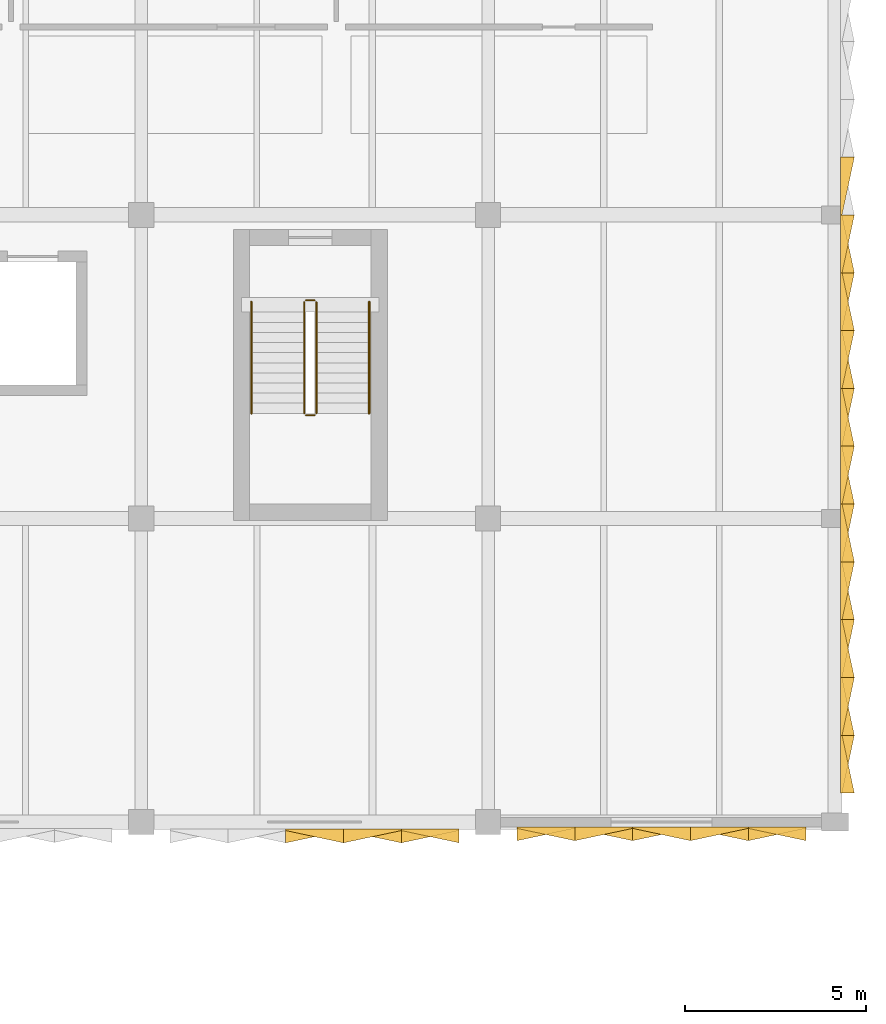
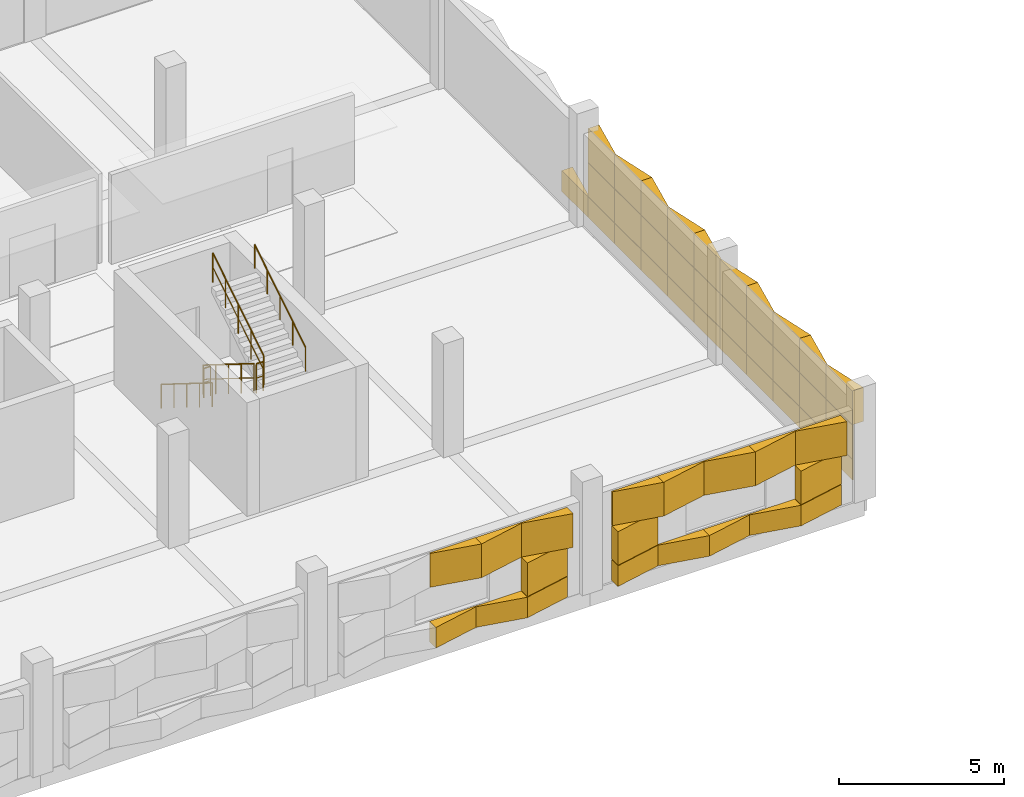
# One storey, part 56 of 57: 50 coverings, 6 railings.
"""IFC4 building model written with IfcOpenShell, lengths in metres."""

from ifc_helpers import new_model, si_unit, direction, frame, origin, origin_2d, place, context, subcontext, project, spatial, polyline, circle, outline, extrude, material, type_object, element, save


model = new_model("IFC4")

# Units and contexts
model_context = context("Model", 3, precision=1e-05, world=origin(), true_north=direction((0.0, 1.0)))
body_context = subcontext(model_context, "Body", "Model", "MODEL_VIEW")
ifc_project = project(units=[si_unit("LENGTHUNIT", "METRE"), si_unit("AREAUNIT", "SQUARE_METRE"), si_unit("VOLUMEUNIT", "CUBIC_METRE"), si_unit("PLANEANGLEUNIT", "RADIAN"), si_unit("MASSUNIT", "GRAM", prefix="KILO")], contexts=[model_context])

# Site, building, storey
site_placement = place(None, origin())
site = spatial("IfcSite", under=ifc_project, at=site_placement, CompositionType="ELEMENT")
building_placement = place(site_placement, origin())
building = spatial("IfcBuilding", under=site, at=building_placement, Name="Oolite Switchyard Hospital", CompositionType="ELEMENT")
storey_placement = place(building_placement, frame((0.0, 0.0, 17.800048828125)))
storey = spatial("IfcBuildingStorey", under=building, at=storey_placement, Name="L04", CompositionType="ELEMENT", Elevation=17.800048828125)

# Coverings
ifc_material_1 = material(Name="Precast oolitic limestone architectural concrete C40/50", Category="masonry")
covering_type = type_object("IfcCoveringType", Name="COV-CHEV-COOL", PredefinedType="CLADDING", material=ifc_material_1)
covering_1_placement = place(storey_placement, frame((200.800048828125, 100.610107421875, 0.050048828125), z_axis=(0.0, 0.0, 1.0), x_axis=(-1.0, 0.0, 0.0)))
element("IfcCovering", 1, at=covering_1_placement, inside=storey, type_object=covering_type, Name="L04 Chevron Precast Oolite Panel 724", PredefinedType="CLADDING", context=body_context, shape_type="SweptSolid", body=[
    extrude(outline(polyline([(0.0, 0.0), (1.60009765625, 0.0), (1.60009765625, 0.385009765625), (0.0, 0.044921875), (0.0, 0.0)])), origin(), (0.0, 0.0, 1.0), 0.760009765625),
])
covering_2_placement = place(storey_placement, frame((200.800048828125, 100.610107421875, 2.08984375), z_axis=(0.0, 0.0, 1.0), x_axis=(-1.0, 0.0, 0.0)))
element("IfcCovering", 2, at=covering_2_placement, inside=storey, type_object=covering_type, Name="L04 Chevron Precast Oolite Panel 725", PredefinedType="CLADDING", context=body_context, shape_type="SweptSolid", body=[
    extrude(outline(polyline([(0.0, 0.0), (1.60009765625, 0.0), (1.60009765625, 0.044921875), (0.0, 0.385009765625), (0.0, 0.0)])), origin(), (0.0, 0.0, 1.0), 1.25),
])
covering_3_placement = place(storey_placement, frame((200.800048828125, 100.610107421875, 0.829833984375), z_axis=(0.0, 0.0, 1.0), x_axis=(-1.0, 0.0, 0.0)))
element("IfcCovering", 3, at=covering_3_placement, inside=storey, type_object=covering_type, Name="L04 Chevron Precast Oolite Panel 726", PredefinedType="CLADDING", context=body_context, shape_type="SweptSolid", body=[
    extrude(outline(polyline([(0.0, 0.0), (1.60009765625, 0.0), (1.60009765625, 0.385009765625), (0.0, 0.044921875), (0.0, 0.0)])), origin(), (0.0, 0.0, 1.0), 1.240234375),
])
covering_4_placement = place(storey_placement, frame((199.199951171875, 100.610107421875, 0.050048828125), z_axis=(0.0, 0.0, 1.0), x_axis=(-1.0, 0.0, 0.0)))
element("IfcCovering", 4, at=covering_4_placement, inside=storey, type_object=covering_type, Name="L04 Chevron Precast Oolite Panel 727", PredefinedType="CLADDING", context=body_context, shape_type="SweptSolid", body=[
    extrude(outline(polyline([(0.0, 0.0), (1.599853515625, 0.0), (1.599853515625, 0.044921875), (0.0, 0.385009765625), (0.0, 0.0)])), origin(), (0.0, 0.0, 1.0), 0.760009765625),
])
covering_5_placement = place(storey_placement, frame((199.199951171875, 100.610107421875, 2.08984375), z_axis=(0.0, 0.0, 1.0), x_axis=(-1.0, 0.0, 0.0)))
element("IfcCovering", 5, at=covering_5_placement, inside=storey, type_object=covering_type, Name="L04 Chevron Precast Oolite Panel 728", PredefinedType="CLADDING", context=body_context, shape_type="SweptSolid", body=[
    extrude(outline(polyline([(0.0, 0.0), (1.599853515625, 0.0), (1.599853515625, 0.385009765625), (0.0, 0.044921875), (0.0, 0.0)])), origin(), (0.0, 0.0, 1.0), 1.25),
])
covering_6_placement = place(storey_placement, frame((197.60009765625, 100.610107421875, 0.050048828125), z_axis=(0.0, 0.0, 1.0), x_axis=(-1.0, 0.0, 0.0)))
element("IfcCovering", 6, at=covering_6_placement, inside=storey, type_object=covering_type, Name="L04 Chevron Precast Oolite Panel 729", PredefinedType="CLADDING", context=body_context, shape_type="SweptSolid", body=[
    extrude(outline(polyline([(0.0, 0.0), (1.60009765625, 0.0), (1.60009765625, 0.385009765625), (0.0, 0.044921875), (0.0, 0.0)])), origin(), (0.0, 0.0, 1.0), 0.760009765625),
])
covering_7_placement = place(storey_placement, frame((197.60009765625, 100.610107421875, 2.08984375), z_axis=(0.0, 0.0, 1.0), x_axis=(-1.0, 0.0, 0.0)))
element("IfcCovering", 7, at=covering_7_placement, inside=storey, type_object=covering_type, Name="L04 Chevron Precast Oolite Panel 730", PredefinedType="CLADDING", context=body_context, shape_type="SweptSolid", body=[
    extrude(outline(polyline([(0.0, 0.0), (1.60009765625, 0.0), (1.60009765625, 0.044921875), (0.0, 0.385009765625), (0.0, 0.0)])), origin(), (0.0, 0.0, 1.0), 1.25),
])
covering_8_placement = place(storey_placement, frame((210.39990234375, 100.669921875, 0.050048828125), z_axis=(0.0, 0.0, 1.0), x_axis=(-1.0, 0.0, 0.0)))
element("IfcCovering", 8, at=covering_8_placement, inside=storey, type_object=covering_type, Name="L04 Chevron Precast Oolite Panel 736", PredefinedType="CLADDING", context=body_context, shape_type="SweptSolid", body=[
    extrude(outline(polyline([(0.0, 0.0), (1.599853515625, 0.0), (1.599853515625, 0.385009765625), (0.0, 0.044921875), (0.0, 0.0)])), origin(), (0.0, 0.0, 1.0), 0.760009765625),
])
covering_9_placement = place(storey_placement, frame((210.39990234375, 100.669921875, 2.08984375), z_axis=(0.0, 0.0, 1.0), x_axis=(-1.0, 0.0, 0.0)))
element("IfcCovering", 9, at=covering_9_placement, inside=storey, type_object=covering_type, Name="L04 Chevron Precast Oolite Panel 737", PredefinedType="CLADDING", context=body_context, shape_type="SweptSolid", body=[
    extrude(outline(polyline([(0.0, 0.0), (1.599853515625, 0.0), (1.599853515625, 0.044921875), (0.0, 0.385009765625), (0.0, 0.0)])), origin(), (0.0, 0.0, 1.0), 1.25),
])
covering_10_placement = place(storey_placement, frame((210.39990234375, 100.669921875, 0.829833984375), z_axis=(0.0, 0.0, 1.0), x_axis=(-1.0, 0.0, 0.0)))
element("IfcCovering", 10, at=covering_10_placement, inside=storey, type_object=covering_type, Name="L04 Chevron Precast Oolite Panel 738", PredefinedType="CLADDING", context=body_context, shape_type="SweptSolid", body=[
    extrude(outline(polyline([(0.0, 0.0), (1.599853515625, 0.0), (1.599853515625, 0.385009765625), (0.0, 0.044921875), (0.0, 0.0)])), origin(), (0.0, 0.0, 1.0), 1.240234375),
])
covering_11_placement = place(storey_placement, frame((208.800048828125, 100.669921875, 0.050048828125), z_axis=(0.0, 0.0, 1.0), x_axis=(-1.0, 0.0, 0.0)))
element("IfcCovering", 11, at=covering_11_placement, inside=storey, type_object=covering_type, Name="L04 Chevron Precast Oolite Panel 739", PredefinedType="CLADDING", context=body_context, shape_type="SweptSolid", body=[
    extrude(outline(polyline([(0.0, 0.0), (1.60009765625, 0.0), (1.60009765625, 0.044921875), (0.0, 0.385009765625), (0.0, 0.0)])), origin(), (0.0, 0.0, 1.0), 0.760009765625),
])
covering_12_placement = place(storey_placement, frame((208.800048828125, 100.669921875, 2.08984375), z_axis=(0.0, 0.0, 1.0), x_axis=(-1.0, 0.0, 0.0)))
element("IfcCovering", 12, at=covering_12_placement, inside=storey, type_object=covering_type, Name="L04 Chevron Precast Oolite Panel 740", PredefinedType="CLADDING", context=body_context, shape_type="SweptSolid", body=[
    extrude(outline(polyline([(0.0, 0.0), (1.60009765625, 0.0), (1.60009765625, 0.385009765625), (0.0, 0.044921875), (0.0, 0.0)])), origin(), (0.0, 0.0, 1.0), 1.25),
])
covering_13_placement = place(storey_placement, frame((207.199951171875, 100.669921875, 0.050048828125), z_axis=(0.0, 0.0, 1.0), x_axis=(-1.0, 0.0, 0.0)))
element("IfcCovering", 13, at=covering_13_placement, inside=storey, type_object=covering_type, Name="L04 Chevron Precast Oolite Panel 741", PredefinedType="CLADDING", context=body_context, shape_type="SweptSolid", body=[
    extrude(outline(polyline([(0.0, 0.0), (1.599853515625, 0.0), (1.599853515625, 0.385009765625), (0.0, 0.044921875), (0.0, 0.0)])), origin(), (0.0, 0.0, 1.0), 0.760009765625),
])
covering_14_placement = place(storey_placement, frame((207.199951171875, 100.669921875, 2.08984375), z_axis=(0.0, 0.0, 1.0), x_axis=(-1.0, 0.0, 0.0)))
element("IfcCovering", 14, at=covering_14_placement, inside=storey, type_object=covering_type, Name="L04 Chevron Precast Oolite Panel 742", PredefinedType="CLADDING", context=body_context, shape_type="SweptSolid", body=[
    extrude(outline(polyline([(0.0, 0.0), (1.599853515625, 0.0), (1.599853515625, 0.044921875), (0.0, 0.385009765625), (0.0, 0.0)])), origin(), (0.0, 0.0, 1.0), 1.25),
])
covering_15_placement = place(storey_placement, frame((205.60009765625, 100.669921875, 0.050048828125), z_axis=(0.0, 0.0, 1.0), x_axis=(-1.0, 0.0, 0.0)))
element("IfcCovering", 15, at=covering_15_placement, inside=storey, type_object=covering_type, Name="L04 Chevron Precast Oolite Panel 743", PredefinedType="CLADDING", context=body_context, shape_type="SweptSolid", body=[
    extrude(outline(polyline([(0.0, 0.0), (1.60009765625, 0.0), (1.60009765625, 0.044921875), (0.0, 0.385009765625), (0.0, 0.0)])), origin(), (0.0, 0.0, 1.0), 0.760009765625),
])
covering_16_placement = place(storey_placement, frame((205.60009765625, 100.669921875, 2.08984375), z_axis=(0.0, 0.0, 1.0), x_axis=(-1.0, 0.0, 0.0)))
element("IfcCovering", 16, at=covering_16_placement, inside=storey, type_object=covering_type, Name="L04 Chevron Precast Oolite Panel 744", PredefinedType="CLADDING", context=body_context, shape_type="SweptSolid", body=[
    extrude(outline(polyline([(0.0, 0.0), (1.60009765625, 0.0), (1.60009765625, 0.385009765625), (0.0, 0.044921875), (0.0, 0.0)])), origin(), (0.0, 0.0, 1.0), 1.25),
])
covering_17_placement = place(storey_placement, frame((204.0, 100.669921875, 0.050048828125), z_axis=(0.0, 0.0, 1.0), x_axis=(-1.0, 0.0, 0.0)))
element("IfcCovering", 17, at=covering_17_placement, inside=storey, type_object=covering_type, Name="L04 Chevron Precast Oolite Panel 745", PredefinedType="CLADDING", context=body_context, shape_type="SweptSolid", body=[
    extrude(outline(polyline([(0.0, 0.0), (1.60009765625, 0.0), (1.60009765625, 0.385009765625), (0.0, 0.044921875), (0.0, 0.0)])), origin(), (0.0, 0.0, 1.0), 0.760009765625),
])
covering_18_placement = place(storey_placement, frame((204.0, 100.669921875, 2.08984375), z_axis=(0.0, 0.0, 1.0), x_axis=(-1.0, 0.0, 0.0)))
element("IfcCovering", 18, at=covering_18_placement, inside=storey, type_object=covering_type, Name="L04 Chevron Precast Oolite Panel 746", PredefinedType="CLADDING", context=body_context, shape_type="SweptSolid", body=[
    extrude(outline(polyline([(0.0, 0.0), (1.60009765625, 0.0), (1.60009765625, 0.044921875), (0.0, 0.385009765625), (0.0, 0.0)])), origin(), (0.0, 0.0, 1.0), 1.25),
])
covering_19_placement = place(storey_placement, frame((204.0, 100.669921875, 0.829833984375), z_axis=(0.0, 0.0, 1.0), x_axis=(-1.0, 0.0, 0.0)))
element("IfcCovering", 19, at=covering_19_placement, inside=storey, type_object=covering_type, Name="L04 Chevron Precast Oolite Panel 747", PredefinedType="CLADDING", context=body_context, shape_type="SweptSolid", body=[
    extrude(outline(polyline([(0.0, 0.0), (1.60009765625, 0.0), (1.60009765625, 0.385009765625), (0.0, 0.044921875), (0.0, 0.0)])), origin(), (0.0, 0.0, 1.0), 1.240234375),
])
covering_20_placement = place(storey_placement, frame((211.35009765625, 119.199951171875, 0.050048828125), z_axis=(0.0, 0.0, 1.0), x_axis=(0.0, -1.0, 0.0)))
element("IfcCovering", 20, at=covering_20_placement, inside=storey, type_object=covering_type, Name="L04 Chevron Precast Oolite Panel 1014", PredefinedType="CLADDING", context=body_context, shape_type="SweptSolid", body=[
    extrude(outline(polyline([(0.0, 0.0), (1.599853515625, 0.0), (1.599853515625, 0.044921875), (0.0, 0.385009765625), (0.0, 0.0)])), origin(), (0.0, 0.0, 1.0), 0.760009765625),
])
covering_21_placement = place(storey_placement, frame((211.35009765625, 117.60009765625, 0.050048828125), z_axis=(0.0, 0.0, 1.0), x_axis=(0.0, -1.0, 0.0)))
element("IfcCovering", 21, at=covering_21_placement, inside=storey, type_object=covering_type, Name="L04 Chevron Precast Oolite Panel 1017", PredefinedType="CLADDING", context=body_context, shape_type="SweptSolid", body=[
    extrude(outline(polyline([(0.0, 0.0), (1.60009765625, 0.0), (1.60009765625, 0.385009765625), (0.0, 0.044921875), (0.0, 0.0)])), origin(), (0.0, 0.0, 1.0), 0.760009765625),
])
covering_22_placement = place(storey_placement, frame((211.35009765625, 117.60009765625, 2.08984375), z_axis=(0.0, 0.0, 1.0), x_axis=(0.0, -1.0, 0.0)))
element("IfcCovering", 22, at=covering_22_placement, inside=storey, type_object=covering_type, Name="L04 Chevron Precast Oolite Panel 1018", PredefinedType="CLADDING", context=body_context, shape_type="SweptSolid", body=[
    extrude(outline(polyline([(0.0, 0.0), (1.60009765625, 0.0), (1.60009765625, 0.044921875), (0.0, 0.385009765625), (0.0, 0.0)])), origin(), (0.0, 0.0, 1.0), 1.25),
])
covering_23_placement = place(storey_placement, frame((211.35009765625, 117.60009765625, 0.829833984375), z_axis=(0.0, 0.0, 1.0), x_axis=(0.0, -1.0, 0.0)))
element("IfcCovering", 23, at=covering_23_placement, inside=storey, type_object=covering_type, Name="L04 Chevron Precast Oolite Panel 1019", PredefinedType="CLADDING", context=body_context, shape_type="SweptSolid", body=[
    extrude(outline(polyline([(0.0, 0.0), (1.60009765625, 0.0), (1.60009765625, 0.385009765625), (0.0, 0.044921875), (0.0, 0.0)])), origin(), (0.0, 0.0, 1.0), 1.240234375),
])
covering_24_placement = place(storey_placement, frame((211.35009765625, 116.0, 0.050048828125), z_axis=(0.0, 0.0, 1.0), x_axis=(0.0, -1.0, 0.0)))
element("IfcCovering", 24, at=covering_24_placement, inside=storey, type_object=covering_type, Name="L04 Chevron Precast Oolite Panel 1020", PredefinedType="CLADDING", context=body_context, shape_type="SweptSolid", body=[
    extrude(outline(polyline([(0.0, 0.0), (1.60009765625, 0.0), (1.60009765625, 0.044921875), (0.0, 0.385009765625), (0.0, 0.0)])), origin(), (0.0, 0.0, 1.0), 0.760009765625),
])
covering_25_placement = place(storey_placement, frame((211.35009765625, 116.0, 2.08984375), z_axis=(0.0, 0.0, 1.0), x_axis=(0.0, -1.0, 0.0)))
element("IfcCovering", 25, at=covering_25_placement, inside=storey, type_object=covering_type, Name="L04 Chevron Precast Oolite Panel 1021", PredefinedType="CLADDING", context=body_context, shape_type="SweptSolid", body=[
    extrude(outline(polyline([(0.0, 0.0), (1.60009765625, 0.0), (1.60009765625, 0.385009765625), (0.0, 0.044921875), (0.0, 0.0)])), origin(), (0.0, 0.0, 1.0), 1.25),
])
covering_26_placement = place(storey_placement, frame((211.35009765625, 116.0, 0.829833984375), z_axis=(0.0, 0.0, 1.0), x_axis=(0.0, -1.0, 0.0)))
element("IfcCovering", 26, at=covering_26_placement, inside=storey, type_object=covering_type, Name="L04 Chevron Precast Oolite Panel 1022", PredefinedType="CLADDING", context=body_context, shape_type="SweptSolid", body=[
    extrude(outline(polyline([(0.0, 0.0), (1.60009765625, 0.0), (1.60009765625, 0.044921875), (0.0, 0.385009765625), (0.0, 0.0)])), origin(), (0.0, 0.0, 1.0), 1.240234375),
])
covering_27_placement = place(storey_placement, frame((211.35009765625, 114.39990234375, 0.050048828125), z_axis=(0.0, 0.0, 1.0), x_axis=(0.0, -1.0, 0.0)))
element("IfcCovering", 27, at=covering_27_placement, inside=storey, type_object=covering_type, Name="L04 Chevron Precast Oolite Panel 1023", PredefinedType="CLADDING", context=body_context, shape_type="SweptSolid", body=[
    extrude(outline(polyline([(0.0, 0.0), (1.599853515625, 0.0), (1.599853515625, 0.385009765625), (0.0, 0.044921875), (0.0, 0.0)])), origin(), (0.0, 0.0, 1.0), 0.760009765625),
])
covering_28_placement = place(storey_placement, frame((211.35009765625, 114.39990234375, 2.08984375), z_axis=(0.0, 0.0, 1.0), x_axis=(0.0, -1.0, 0.0)))
element("IfcCovering", 28, at=covering_28_placement, inside=storey, type_object=covering_type, Name="L04 Chevron Precast Oolite Panel 1024", PredefinedType="CLADDING", context=body_context, shape_type="SweptSolid", body=[
    extrude(outline(polyline([(0.0, 0.0), (1.599853515625, 0.0), (1.599853515625, 0.044921875), (0.0, 0.385009765625), (0.0, 0.0)])), origin(), (0.0, 0.0, 1.0), 1.25),
])
covering_29_placement = place(storey_placement, frame((211.35009765625, 114.39990234375, 0.829833984375), z_axis=(0.0, 0.0, 1.0), x_axis=(0.0, -1.0, 0.0)))
element("IfcCovering", 29, at=covering_29_placement, inside=storey, type_object=covering_type, Name="L04 Chevron Precast Oolite Panel 1025", PredefinedType="CLADDING", context=body_context, shape_type="SweptSolid", body=[
    extrude(outline(polyline([(0.0, 0.0), (1.599853515625, 0.0), (1.599853515625, 0.385009765625), (0.0, 0.044921875), (0.0, 0.0)])), origin(), (0.0, 0.0, 1.0), 1.240234375),
])
covering_30_placement = place(storey_placement, frame((211.35009765625, 112.800048828125, 0.050048828125), z_axis=(0.0, 0.0, 1.0), x_axis=(0.0, -1.0, 0.0)))
element("IfcCovering", 30, at=covering_30_placement, inside=storey, type_object=covering_type, Name="L04 Chevron Precast Oolite Panel 1026", PredefinedType="CLADDING", context=body_context, shape_type="SweptSolid", body=[
    extrude(outline(polyline([(0.0, 0.0), (1.60009765625, 0.0), (1.60009765625, 0.044921875), (0.0, 0.385009765625), (0.0, 0.0)])), origin(), (0.0, 0.0, 1.0), 0.760009765625),
])
covering_31_placement = place(storey_placement, frame((211.35009765625, 112.800048828125, 2.08984375), z_axis=(0.0, 0.0, 1.0), x_axis=(0.0, -1.0, 0.0)))
element("IfcCovering", 31, at=covering_31_placement, inside=storey, type_object=covering_type, Name="L04 Chevron Precast Oolite Panel 1027", PredefinedType="CLADDING", context=body_context, shape_type="SweptSolid", body=[
    extrude(outline(polyline([(0.0, 0.0), (1.60009765625, 0.0), (1.60009765625, 0.385009765625), (0.0, 0.044921875), (0.0, 0.0)])), origin(), (0.0, 0.0, 1.0), 1.25),
])
covering_32_placement = place(storey_placement, frame((211.35009765625, 112.800048828125, 0.829833984375), z_axis=(0.0, 0.0, 1.0), x_axis=(0.0, -1.0, 0.0)))
element("IfcCovering", 32, at=covering_32_placement, inside=storey, type_object=covering_type, Name="L04 Chevron Precast Oolite Panel 1028", PredefinedType="CLADDING", context=body_context, shape_type="SweptSolid", body=[
    extrude(outline(polyline([(0.0, 0.0), (1.60009765625, 0.0), (1.60009765625, 0.044921875), (0.0, 0.385009765625), (0.0, 0.0)])), origin(), (0.0, 0.0, 1.0), 1.240234375),
])
covering_33_placement = place(storey_placement, frame((211.35009765625, 111.199951171875, 0.050048828125), z_axis=(0.0, 0.0, 1.0), x_axis=(0.0, -1.0, 0.0)))
element("IfcCovering", 33, at=covering_33_placement, inside=storey, type_object=covering_type, Name="L04 Chevron Precast Oolite Panel 1029", PredefinedType="CLADDING", context=body_context, shape_type="SweptSolid", body=[
    extrude(outline(polyline([(0.0, 0.0), (1.599853515625, 0.0), (1.599853515625, 0.385009765625), (0.0, 0.044921875), (0.0, 0.0)])), origin(), (0.0, 0.0, 1.0), 0.760009765625),
])
covering_34_placement = place(storey_placement, frame((211.35009765625, 111.199951171875, 2.08984375), z_axis=(0.0, 0.0, 1.0), x_axis=(0.0, -1.0, 0.0)))
element("IfcCovering", 34, at=covering_34_placement, inside=storey, type_object=covering_type, Name="L04 Chevron Precast Oolite Panel 1030", PredefinedType="CLADDING", context=body_context, shape_type="SweptSolid", body=[
    extrude(outline(polyline([(0.0, 0.0), (1.599853515625, 0.0), (1.599853515625, 0.044921875), (0.0, 0.385009765625), (0.0, 0.0)])), origin(), (0.0, 0.0, 1.0), 1.25),
])
covering_35_placement = place(storey_placement, frame((211.35009765625, 111.199951171875, 0.829833984375), z_axis=(0.0, 0.0, 1.0), x_axis=(0.0, -1.0, 0.0)))
element("IfcCovering", 35, at=covering_35_placement, inside=storey, type_object=covering_type, Name="L04 Chevron Precast Oolite Panel 1031", PredefinedType="CLADDING", context=body_context, shape_type="SweptSolid", body=[
    extrude(outline(polyline([(0.0, 0.0), (1.599853515625, 0.0), (1.599853515625, 0.385009765625), (0.0, 0.044921875), (0.0, 0.0)])), origin(), (0.0, 0.0, 1.0), 1.240234375),
])
covering_36_placement = place(storey_placement, frame((211.35009765625, 109.60009765625, 0.050048828125), z_axis=(0.0, 0.0, 1.0), x_axis=(0.0, -1.0, 0.0)))
element("IfcCovering", 36, at=covering_36_placement, inside=storey, type_object=covering_type, Name="L04 Chevron Precast Oolite Panel 1032", PredefinedType="CLADDING", context=body_context, shape_type="SweptSolid", body=[
    extrude(outline(polyline([(0.0, 0.0), (1.60009765625, 0.0), (1.60009765625, 0.044921875), (0.0, 0.385009765625), (0.0, 0.0)])), origin(), (0.0, 0.0, 1.0), 0.760009765625),
])
covering_37_placement = place(storey_placement, frame((211.35009765625, 109.60009765625, 2.08984375), z_axis=(0.0, 0.0, 1.0), x_axis=(0.0, -1.0, 0.0)))
element("IfcCovering", 37, at=covering_37_placement, inside=storey, type_object=covering_type, Name="L04 Chevron Precast Oolite Panel 1033", PredefinedType="CLADDING", context=body_context, shape_type="SweptSolid", body=[
    extrude(outline(polyline([(0.0, 0.0), (1.60009765625, 0.0), (1.60009765625, 0.385009765625), (0.0, 0.044921875), (0.0, 0.0)])), origin(), (0.0, 0.0, 1.0), 1.25),
])
covering_38_placement = place(storey_placement, frame((211.35009765625, 109.60009765625, 0.829833984375), z_axis=(0.0, 0.0, 1.0), x_axis=(0.0, -1.0, 0.0)))
element("IfcCovering", 38, at=covering_38_placement, inside=storey, type_object=covering_type, Name="L04 Chevron Precast Oolite Panel 1034", PredefinedType="CLADDING", context=body_context, shape_type="SweptSolid", body=[
    extrude(outline(polyline([(0.0, 0.0), (1.60009765625, 0.0), (1.60009765625, 0.044921875), (0.0, 0.385009765625), (0.0, 0.0)])), origin(), (0.0, 0.0, 1.0), 1.240234375),
])
covering_39_placement = place(storey_placement, frame((211.35009765625, 108.0, 0.050048828125), z_axis=(0.0, 0.0, 1.0), x_axis=(0.0, -1.0, 0.0)))
element("IfcCovering", 39, at=covering_39_placement, inside=storey, type_object=covering_type, Name="L04 Chevron Precast Oolite Panel 1035", PredefinedType="CLADDING", context=body_context, shape_type="SweptSolid", body=[
    extrude(outline(polyline([(0.0, 0.0), (1.60009765625, 0.0), (1.60009765625, 0.385009765625), (0.0, 0.044921875), (0.0, 0.0)])), origin(), (0.0, 0.0, 1.0), 0.760009765625),
])
covering_40_placement = place(storey_placement, frame((211.35009765625, 108.0, 2.08984375), z_axis=(0.0, 0.0, 1.0), x_axis=(0.0, -1.0, 0.0)))
element("IfcCovering", 40, at=covering_40_placement, inside=storey, type_object=covering_type, Name="L04 Chevron Precast Oolite Panel 1036", PredefinedType="CLADDING", context=body_context, shape_type="SweptSolid", body=[
    extrude(outline(polyline([(0.0, 0.0), (1.60009765625, 0.0), (1.60009765625, 0.044921875), (0.0, 0.385009765625), (0.0, 0.0)])), origin(), (0.0, 0.0, 1.0), 1.25),
])
covering_41_placement = place(storey_placement, frame((211.35009765625, 108.0, 0.829833984375), z_axis=(0.0, 0.0, 1.0), x_axis=(0.0, -1.0, 0.0)))
element("IfcCovering", 41, at=covering_41_placement, inside=storey, type_object=covering_type, Name="L04 Chevron Precast Oolite Panel 1037", PredefinedType="CLADDING", context=body_context, shape_type="SweptSolid", body=[
    extrude(outline(polyline([(0.0, 0.0), (1.60009765625, 0.0), (1.60009765625, 0.385009765625), (0.0, 0.044921875), (0.0, 0.0)])), origin(), (0.0, 0.0, 1.0), 1.240234375),
])
covering_42_placement = place(storey_placement, frame((211.35009765625, 106.39990234375, 0.050048828125), z_axis=(0.0, 0.0, 1.0), x_axis=(0.0, -1.0, 0.0)))
element("IfcCovering", 42, at=covering_42_placement, inside=storey, type_object=covering_type, Name="L04 Chevron Precast Oolite Panel 1038", PredefinedType="CLADDING", context=body_context, shape_type="SweptSolid", body=[
    extrude(outline(polyline([(0.0, 0.0), (1.599853515625, 0.0), (1.599853515625, 0.044921875), (0.0, 0.385009765625), (0.0, 0.0)])), origin(), (0.0, 0.0, 1.0), 0.760009765625),
])
covering_43_placement = place(storey_placement, frame((211.35009765625, 106.39990234375, 2.08984375), z_axis=(0.0, 0.0, 1.0), x_axis=(0.0, -1.0, 0.0)))
element("IfcCovering", 43, at=covering_43_placement, inside=storey, type_object=covering_type, Name="L04 Chevron Precast Oolite Panel 1039", PredefinedType="CLADDING", context=body_context, shape_type="SweptSolid", body=[
    extrude(outline(polyline([(0.0, 0.0), (1.599853515625, 0.0), (1.599853515625, 0.385009765625), (0.0, 0.044921875), (0.0, 0.0)])), origin(), (0.0, 0.0, 1.0), 1.25),
])
covering_44_placement = place(storey_placement, frame((211.35009765625, 106.39990234375, 0.829833984375), z_axis=(0.0, 0.0, 1.0), x_axis=(0.0, -1.0, 0.0)))
element("IfcCovering", 44, at=covering_44_placement, inside=storey, type_object=covering_type, Name="L04 Chevron Precast Oolite Panel 1040", PredefinedType="CLADDING", context=body_context, shape_type="SweptSolid", body=[
    extrude(outline(polyline([(0.0, 0.0), (1.599853515625, 0.0), (1.599853515625, 0.044921875), (0.0, 0.385009765625), (0.0, 0.0)])), origin(), (0.0, 0.0, 1.0), 1.240234375),
])
covering_45_placement = place(storey_placement, frame((211.35009765625, 104.800048828125, 0.050048828125), z_axis=(0.0, 0.0, 1.0), x_axis=(0.0, -1.0, 0.0)))
element("IfcCovering", 45, at=covering_45_placement, inside=storey, type_object=covering_type, Name="L04 Chevron Precast Oolite Panel 1041", PredefinedType="CLADDING", context=body_context, shape_type="SweptSolid", body=[
    extrude(outline(polyline([(0.0, 0.0), (1.60009765625, 0.0), (1.60009765625, 0.385009765625), (0.0, 0.044921875), (0.0, 0.0)])), origin(), (0.0, 0.0, 1.0), 0.760009765625),
])
covering_46_placement = place(storey_placement, frame((211.35009765625, 104.800048828125, 2.08984375), z_axis=(0.0, 0.0, 1.0), x_axis=(0.0, -1.0, 0.0)))
element("IfcCovering", 46, at=covering_46_placement, inside=storey, type_object=covering_type, Name="L04 Chevron Precast Oolite Panel 1042", PredefinedType="CLADDING", context=body_context, shape_type="SweptSolid", body=[
    extrude(outline(polyline([(0.0, 0.0), (1.60009765625, 0.0), (1.60009765625, 0.044921875), (0.0, 0.385009765625), (0.0, 0.0)])), origin(), (0.0, 0.0, 1.0), 1.25),
])
covering_47_placement = place(storey_placement, frame((211.35009765625, 104.800048828125, 0.829833984375), z_axis=(0.0, 0.0, 1.0), x_axis=(0.0, -1.0, 0.0)))
element("IfcCovering", 47, at=covering_47_placement, inside=storey, type_object=covering_type, Name="L04 Chevron Precast Oolite Panel 1043", PredefinedType="CLADDING", context=body_context, shape_type="SweptSolid", body=[
    extrude(outline(polyline([(0.0, 0.0), (1.60009765625, 0.0), (1.60009765625, 0.385009765625), (0.0, 0.044921875), (0.0, 0.0)])), origin(), (0.0, 0.0, 1.0), 1.240234375),
])
covering_48_placement = place(storey_placement, frame((211.35009765625, 103.199951171875, 0.050048828125), z_axis=(0.0, 0.0, 1.0), x_axis=(0.0, -1.0, 0.0)))
element("IfcCovering", 48, at=covering_48_placement, inside=storey, type_object=covering_type, Name="L04 Chevron Precast Oolite Panel 1044", PredefinedType="CLADDING", context=body_context, shape_type="SweptSolid", body=[
    extrude(outline(polyline([(0.0, 0.0), (1.599853515625, 0.0), (1.599853515625, 0.044921875), (0.0, 0.385009765625), (0.0, 0.0)])), origin(), (0.0, 0.0, 1.0), 0.760009765625),
])
covering_49_placement = place(storey_placement, frame((211.35009765625, 103.199951171875, 2.08984375), z_axis=(0.0, 0.0, 1.0), x_axis=(0.0, -1.0, 0.0)))
element("IfcCovering", 49, at=covering_49_placement, inside=storey, type_object=covering_type, Name="L04 Chevron Precast Oolite Panel 1045", PredefinedType="CLADDING", context=body_context, shape_type="SweptSolid", body=[
    extrude(outline(polyline([(0.0, 0.0), (1.599853515625, 0.0), (1.599853515625, 0.385009765625), (0.0, 0.044921875), (0.0, 0.0)])), origin(), (0.0, 0.0, 1.0), 1.25),
])
covering_50_placement = place(storey_placement, frame((211.35009765625, 103.199951171875, 0.829833984375), z_axis=(0.0, 0.0, 1.0), x_axis=(0.0, -1.0, 0.0)))
element("IfcCovering", 50, at=covering_50_placement, inside=storey, type_object=covering_type, Name="L04 Chevron Precast Oolite Panel 1046", PredefinedType="CLADDING", context=body_context, shape_type="SweptSolid", body=[
    extrude(outline(polyline([(0.0, 0.0), (1.599853515625, 0.0), (1.599853515625, 0.044921875), (0.0, 0.385009765625), (0.0, 0.0)])), origin(), (0.0, 0.0, 1.0), 1.240234375),
])

# Railings
ifc_material_2 = material(Name="Galvanized painted architectural steel handrail", Category="steel")
railing_type_1 = type_object("IfcRailingType", Name="RL-STAIR-GRD", PredefinedType="GUARDRAIL", material=ifc_material_2)
railing_1_placement = place(storey_placement, frame((196.510009765625, 115.18994140625, 0.175048828125)))
element("IfcRailing", 51, at=railing_1_placement, inside=storey, type_object=railing_type_1, Name="L04 ST-04 stair guard 1", PredefinedType="GUARDRAIL", context=body_context, shape_type="SweptSolid", body=[
    extrude(circle(Radius=0.02392578125, at=origin_2d()), frame((0.0, 0.0, 1.076171875), z_axis=(0.0, -0.848009633417, 0.529980812513), x_axis=(1.0, 0.0, 0.0)), (0.0, 0.0, 1.0), 3.6318359375),
    extrude(circle(Radius=0.015625, at=origin_2d()), frame((0.0, 0.0, 0.550048828125), z_axis=(0.0, -0.848009633417, 0.529980812513), x_axis=(1.0, 0.0, 0.0)), (0.0, 0.0, 1.0), 3.6318359375),
    extrude(circle(Radius=0.02099609375, at=origin_2d()), origin(), (0.0, 0.0, 1.0), 1.052001953125),
    extrude(circle(Radius=0.02099609375, at=origin_2d()), frame((0.0, -0.77001953125, 0.481201171875)), (0.0, 0.0, 1.0), 1.052001953125),
    extrude(circle(Radius=0.02099609375, at=origin_2d()), frame((0.0, -1.5400390625, 0.96240234375)), (0.0, 0.0, 1.0), 1.052001953125),
    extrude(circle(Radius=0.02099609375, at=origin_2d()), frame((0.0, -2.309814453125, 1.443603515625)), (0.0, 0.0, 1.0), 1.052001953125),
    extrude(circle(Radius=0.02099609375, at=origin_2d()), frame((0.0, -3.079833984375, 1.9248046875)), (0.0, 0.0, 1.0), 1.052001953125),
])
railing_2_placement = place(storey_placement, frame((196.56005859375, 112.06005859375, 2.099853515625)))
element("IfcRailing", 52, at=railing_2_placement, inside=storey, type_object=railing_type_1, Name="L04 ST-04 stair guard 2", PredefinedType="GUARDRAIL", context=body_context, shape_type="SweptSolid", body=[
    extrude(circle(Radius=0.02392578125, at=origin_2d()), frame((0.0, 0.0, 1.076171875), z_axis=(1.0, 0.0, 0.0), x_axis=(0.0, 1.0, 0.0)), (0.0, 0.0, 1.0), 0.239990234375),
    extrude(circle(Radius=0.015625, at=origin_2d()), frame((0.0, 0.0, 0.550048828125), z_axis=(1.0, 0.0, 0.0), x_axis=(0.0, 1.0, 0.0)), (0.0, 0.0, 1.0), 0.239990234375),
    extrude(circle(Radius=0.02099609375, at=origin_2d()), origin(), (0.0, 0.0, 1.0), 1.052001953125),
    extrude(circle(Radius=0.02099609375, at=origin_2d()), frame((0.239990234375, 0.0, 0.0)), (0.0, 0.0, 1.0), 1.052001953125),
])
railing_3_placement = place(storey_placement, frame((196.85009765625, 112.110107421875, 2.27490234375)))
element("IfcRailing", 53, at=railing_3_placement, inside=storey, type_object=railing_type_1, Name="L04 ST-04 stair guard 3", PredefinedType="GUARDRAIL", context=body_context, shape_type="SweptSolid", body=[
    extrude(circle(Radius=0.02392578125, at=origin_2d()), frame((0.0, 0.0, 1.076171875), z_axis=(0.0, 0.847979421464, 0.530029150871), x_axis=(-1.0, 0.0, 0.0)), (0.0, 0.0, 1.0), 3.632080078125),
    extrude(circle(Radius=0.015625, at=origin_2d()), frame((0.0, 0.0, 0.550048828125), z_axis=(0.0, 0.847979421464, 0.530029150871), x_axis=(-1.0, 0.0, 0.0)), (0.0, 0.0, 1.0), 3.632080078125),
    extrude(circle(Radius=0.02099609375, at=origin_2d()), origin(), (0.0, 0.0, 1.0), 1.052001953125),
    extrude(circle(Radius=0.02099609375, at=origin_2d()), frame((0.0, 0.77001953125, 0.481201171875)), (0.0, 0.0, 1.0), 1.052001953125),
    extrude(circle(Radius=0.02099609375, at=origin_2d()), frame((0.0, 1.5400390625, 0.96240234375)), (0.0, 0.0, 1.0), 1.052001953125),
    extrude(circle(Radius=0.02099609375, at=origin_2d()), frame((0.0, 2.309814453125, 1.44384765625)), (0.0, 0.0, 1.0), 1.052001953125),
    extrude(circle(Radius=0.02099609375, at=origin_2d()), frame((0.0, 3.079833984375, 1.925048828125)), (0.0, 0.0, 1.0), 1.052001953125),
])
railing_4_placement = place(storey_placement, frame((196.56005859375, 115.239990234375, 0.0)))
element("IfcRailing", 54, at=railing_4_placement, inside=storey, type_object=railing_type_1, Name="L04 ST-04 stair guard 4", PredefinedType="GUARDRAIL", context=body_context, shape_type="SweptSolid", body=[
    extrude(circle(Radius=0.02392578125, at=origin_2d()), frame((0.0, 0.0, 1.076171875), z_axis=(1.0, 0.0, 0.0), x_axis=(0.0, 1.0, 0.0)), (0.0, 0.0, 1.0), 0.239990234375),
    extrude(circle(Radius=0.015625, at=origin_2d()), frame((0.0, 0.0, 0.550048828125), z_axis=(1.0, 0.0, 0.0), x_axis=(0.0, 1.0, 0.0)), (0.0, 0.0, 1.0), 0.239990234375),
    extrude(circle(Radius=0.02099609375, at=origin_2d()), origin(), (0.0, 0.0, 1.0), 1.052001953125),
    extrude(circle(Radius=0.02099609375, at=origin_2d()), frame((0.239990234375, 0.0, 0.0)), (0.0, 0.0, 1.0), 1.052001953125),
])
railing_type_2 = type_object("IfcRailingType", Name="RL-STAIR-HND", PredefinedType="HANDRAIL", material=ifc_material_2)
railing_5_placement = place(storey_placement, frame((195.050048828125, 115.18994140625, 0.175048828125)))
element("IfcRailing", 55, at=railing_5_placement, inside=storey, type_object=railing_type_2, Name="L04 ST-04 stair handrail 1", PredefinedType="HANDRAIL", context=body_context, shape_type="SweptSolid", body=[
    extrude(circle(Radius=0.02392578125, at=origin_2d()), frame((0.0, 0.0, 0.8759765625), z_axis=(0.0, -0.848009633417, 0.529980812513), x_axis=(1.0, 0.0, 0.0)), (0.0, 0.0, 1.0), 3.6318359375),
    extrude(circle(Radius=0.02099609375, at=origin_2d()), origin(), (0.0, 0.0, 1.0), 0.851806640625),
    extrude(circle(Radius=0.02099609375, at=origin_2d()), frame((0.0, -0.77001953125, 0.481201171875)), (0.0, 0.0, 1.0), 0.851806640625),
    extrude(circle(Radius=0.02099609375, at=origin_2d()), frame((0.0, -1.5400390625, 0.96240234375)), (0.0, 0.0, 1.0), 0.851806640625),
    extrude(circle(Radius=0.02099609375, at=origin_2d()), frame((0.0, -2.309814453125, 1.443603515625)), (0.0, 0.0, 1.0), 0.851806640625),
    extrude(circle(Radius=0.02099609375, at=origin_2d()), frame((0.0, -3.079833984375, 1.9248046875)), (0.0, 0.0, 1.0), 0.851806640625),
])
railing_6_placement = place(storey_placement, frame((198.31005859375, 112.110107421875, 2.27490234375)))
element("IfcRailing", 56, at=railing_6_placement, inside=storey, type_object=railing_type_2, Name="L04 ST-04 stair handrail 2", PredefinedType="HANDRAIL", context=body_context, shape_type="SweptSolid", body=[
    extrude(circle(Radius=0.02392578125, at=origin_2d()), frame((0.0, 0.0, 0.8759765625), z_axis=(0.0, 0.847979421464, 0.530029150871), x_axis=(-1.0, 0.0, 0.0)), (0.0, 0.0, 1.0), 3.632080078125),
    extrude(circle(Radius=0.02099609375, at=origin_2d()), origin(), (0.0, 0.0, 1.0), 0.851806640625),
    extrude(circle(Radius=0.02099609375, at=origin_2d()), frame((0.0, 0.77001953125, 0.481201171875)), (0.0, 0.0, 1.0), 0.851806640625),
    extrude(circle(Radius=0.02099609375, at=origin_2d()), frame((0.0, 1.5400390625, 0.96240234375)), (0.0, 0.0, 1.0), 0.851806640625),
    extrude(circle(Radius=0.02099609375, at=origin_2d()), frame((0.0, 2.309814453125, 1.44384765625)), (0.0, 0.0, 1.0), 0.851806640625),
    extrude(circle(Radius=0.02099609375, at=origin_2d()), frame((0.0, 3.079833984375, 1.925048828125)), (0.0, 0.0, 1.0), 0.851806640625),
])

save(model, "model.ifc")
